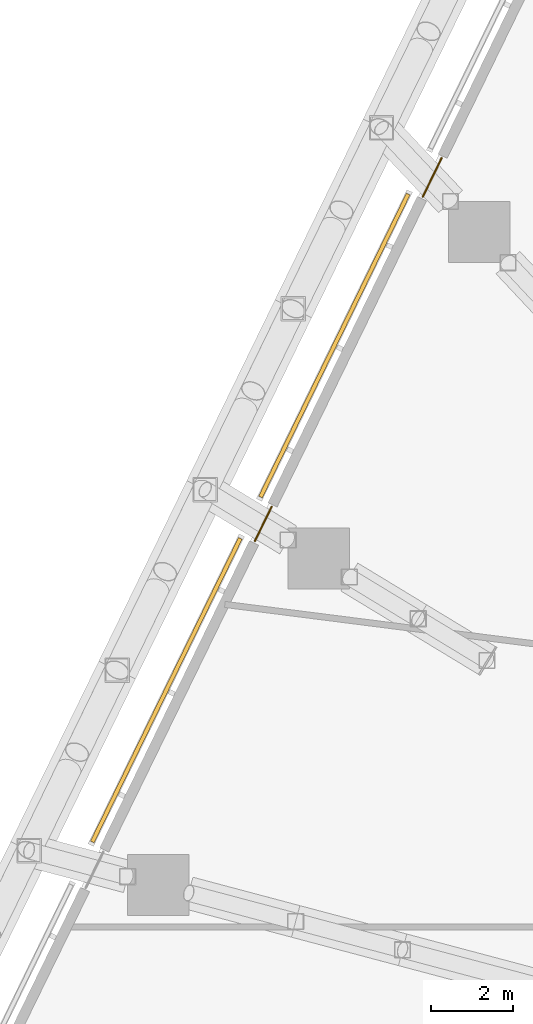
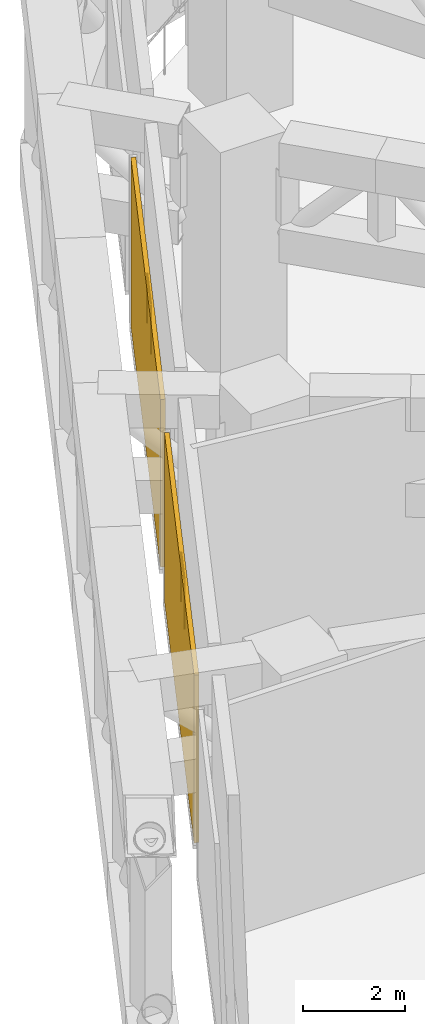
# One storey, part 35 of 38: 2 coverings, 2 railings, 1 element without a shape of its own.
"""IFC4 building model written with IfcOpenShell, lengths in metres."""

from ifc_helpers import new_model, si_unit, direction, frame, origin, origin_2d, place, context, subcontext, project, spatial, rectangle, circle, extrude, material, layer, layer_set, type_object, element, aggregate, save


model = new_model("IFC4")

# Units and contexts
model_context = context("Model", 3, precision=1e-05, world=origin(), true_north=direction((0.0, 1.0)))
body_context = subcontext(model_context, "Body", "Model", "MODEL_VIEW")
ifc_project = project(units=[si_unit("LENGTHUNIT", "METRE"), si_unit("AREAUNIT", "SQUARE_METRE"), si_unit("VOLUMEUNIT", "CUBIC_METRE"), si_unit("PLANEANGLEUNIT", "RADIAN"), si_unit("MASSUNIT", "GRAM", prefix="KILO")], contexts=[model_context])

# Site, building, storey
site_placement = place(None, origin())
site = spatial("IfcSite", under=ifc_project, at=site_placement, CompositionType="ELEMENT")
building_placement = place(site_placement, origin())
building = spatial("IfcBuilding", under=site, at=building_placement, Name="Dongbaek Canopy Tower", CompositionType="ELEMENT")
storey_placement = place(building_placement, frame((0.0, 0.0, 89.199951171875)))
storey = spatial("IfcBuildingStorey", under=building, at=storey_placement, Name="L18", CompositionType="ELEMENT", Elevation=89.199951171875)

# Curtain wall, coverings
ifc_material_1 = material(Name="Aluminium 6063-T6 pale anodised", Category="aluminium")
ifc_layer_1 = layer(ifc_material_1, 0.14990234375)
ifc_layer_set_1 = layer_set([ifc_layer_1], Name="CW-7 louvre curtain wall")
curtain_wall_type = type_object("IfcCurtainWallType", Name="CW-7 louvre curtain wall", PredefinedType="NOTDEFINED", material=ifc_layer_set_1)
curtain_wall_placement = place(storey_placement, origin())
curtain_wall = element("IfcCurtainWall", 1, at=curtain_wall_placement, inside=storey, type_object=curtain_wall_type, Name="CW-7 louvre wall L18 F2", PredefinedType="NOTDEFINED")
ifc_material_2 = material(Name="Aluminium 6063-T6 pale metal louvre blades", Category="aluminium")
ifc_layer_2 = layer(ifc_material_2, 0.10009765625)
ifc_layer_set_2 = layer_set([ifc_layer_2], Name="Louvre LV bank 100 x 4000")
covering_type = type_object("IfcCoveringType", Name="Louvre LV bank 100 x 4000", PredefinedType="CLADDING", material=ifc_layer_set_2)
covering_1_placement = place(storey_placement, frame((-26.203125, 21.341796875, 0.775146484375), z_axis=(0.0, 0.0, 1.0), x_axis=(-0.438327995219, -0.898815091444, 0.0)))
covering_1 = element("IfcCovering", 2, at=covering_1_placement, type_object=covering_type, Name="Louvre L18 F2.2.1", PredefinedType="CLADDING", context=body_context, shape_type="SweptSolid", body=[
    extrude(rectangle(XDim=8.265625, YDim=0.10009765625, at=origin_2d()), origin(), (0.0, 0.0, 1.0), 4.0),
])
covering_2_placement = place(storey_placement, frame((-30.32568359375, 12.887939453125, 0.775146484375), z_axis=(0.0, 0.0, 1.0), x_axis=(-0.438327995219, -0.898815091444, 0.0)))
covering_2 = element("IfcCovering", 3, at=covering_2_placement, type_object=covering_type, Name="Louvre L18 F2.3.1", PredefinedType="CLADDING", context=body_context, shape_type="SweptSolid", body=[
    extrude(rectangle(XDim=8.287353515625, YDim=0.10009765625, at=origin_2d()), origin(), (0.0, 0.0, 1.0), 4.0),
])
aggregate(curtain_wall, [covering_1, covering_2])

# Railings
ifc_material_3 = material(Name="Stainless steel", Category="steel")
railing_type = type_object("IfcRailingType", Name="Plant opening guard 1200", PredefinedType="GUARDRAIL", material=ifc_material_3)
railing_1_placement = place(storey_placement, frame((-23.56982421875, 25.942626953125, 0.0)))
element("IfcRailing", 4, at=railing_1_placement, inside=storey, type_object=railing_type, Name="Plant opening guard L18 F2 1", PredefinedType="GUARDRAIL", context=body_context, shape_type="SweptSolid", body=[
    extrude(circle(Radius=0.02392578125, at=origin_2d()), frame((0.0, 0.0, 1.17578125), z_axis=(-0.438360193142, -0.898799388667, 0.0), x_axis=(0.898799388667, -0.438360193142, 0.0)), (0.0, 0.0, 1.0), 1.0615234375),
    extrude(circle(Radius=0.02099609375, at=origin_2d()), origin(), (0.0, 0.0, 1.0), 1.15185546875),
    extrude(circle(Radius=0.02099609375, at=origin_2d()), frame((-0.46533203125, -0.9541015625, 0.0)), (0.0, 0.0, 1.0), 1.15185546875),
])
railing_2_placement = place(storey_placement, frame((-27.74169921875, 17.38818359375, 0.0)))
element("IfcRailing", 5, at=railing_2_placement, inside=storey, type_object=railing_type, Name="Plant opening guard L18 F2 2", PredefinedType="GUARDRAIL", context=body_context, shape_type="SweptSolid", body=[
    extrude(circle(Radius=0.02392578125, at=origin_2d()), frame((0.0, 0.0, 1.17578125), z_axis=(-0.438244275445, -0.898855914504, 0.0), x_axis=(0.898855914504, -0.438244275445, 0.0)), (0.0, 0.0, 1.0), 0.938720703125),
    extrude(circle(Radius=0.02099609375, at=origin_2d()), origin(), (0.0, 0.0, 1.0), 1.15185546875),
    extrude(circle(Radius=0.02099609375, at=origin_2d()), frame((-0.411376953125, -0.84375, 0.0)), (0.0, 0.0, 1.0), 1.15185546875),
])

save(model, "model.ifc")
